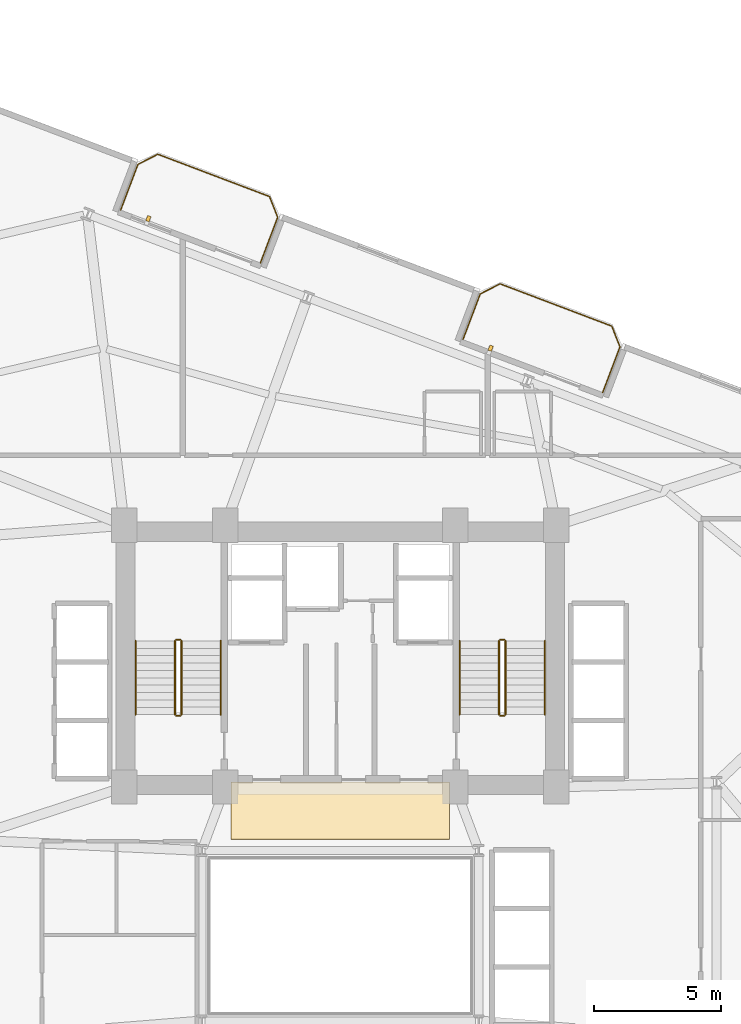
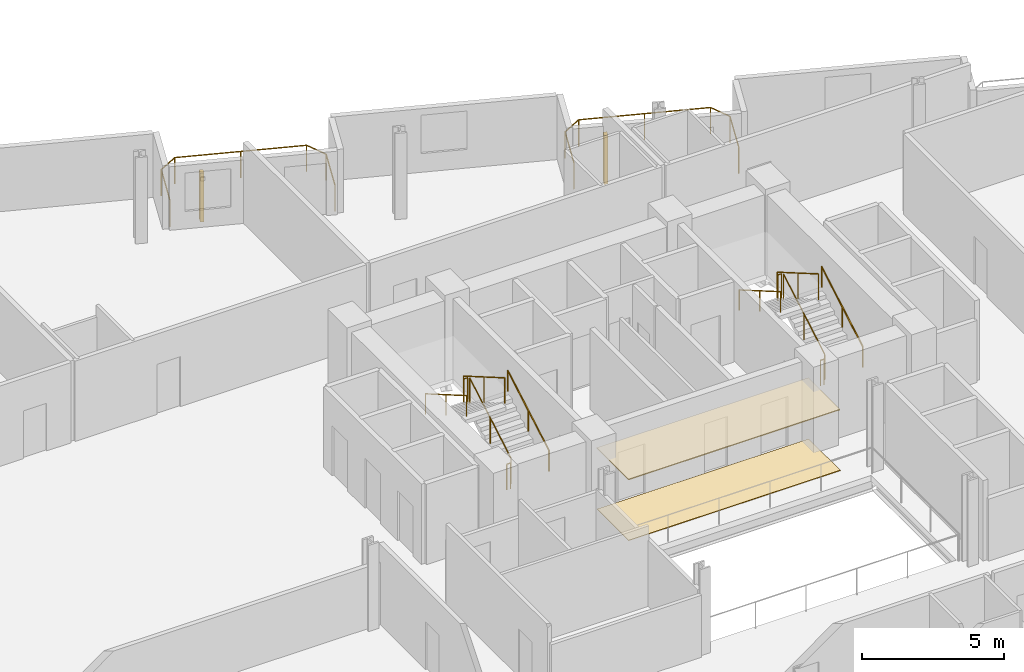
# One storey, part 25 of 26: 14 railings, 2 coverings, 2 shading devices.
"""IFC4 building model written with IfcOpenShell, lengths in metres."""

from ifc_helpers import new_model, si_unit, direction, frame, origin, origin_2d, place, context, subcontext, project, spatial, rectangle, circle, extrude, source, transform, mapped, material, layer, layer_set, type_object, element, save


model = new_model("IFC4")

# Units and contexts
model_context = context("Model", 3, precision=1e-05, world=origin(), true_north=direction((0.0, 1.0)))
body_context = subcontext(model_context, "Body", "Model", "MODEL_VIEW")
ifc_project = project(units=[si_unit("LENGTHUNIT", "METRE"), si_unit("AREAUNIT", "SQUARE_METRE"), si_unit("VOLUMEUNIT", "CUBIC_METRE"), si_unit("PLANEANGLEUNIT", "RADIAN"), si_unit("MASSUNIT", "GRAM", prefix="KILO")], contexts=[model_context])

# Site, building, storey
site_placement = place(None, origin())
site = spatial("IfcSite", under=ifc_project, at=site_placement, CompositionType="ELEMENT")
building_placement = place(site_placement, origin())
building = spatial("IfcBuilding", under=site, at=building_placement, Name="Varnelok Gate Tower", CompositionType="ELEMENT")
storey_placement = place(building_placement, frame((0.0, 0.0, 109.5)))
storey = spatial("IfcBuildingStorey", under=building, at=storey_placement, Name="L27", CompositionType="ELEMENT", Elevation=109.5)

# Railings
ifc_material_1 = material(Name="Low-E Laminated Double Glazing IGU", Category="glass")
railing_type_1 = type_object("IfcRailingType", Name="RL-BALC-1150", PredefinedType="BALUSTRADE", material=ifc_material_1)
railing_1_placement = place(storey_placement, frame((30.560302734375, 51.453125, 0.0)))
element("IfcRailing", 1, at=railing_1_placement, inside=storey, type_object=railing_type_1, Name="L27 North Terrace Balustrade 4", PredefinedType="BALUSTRADE", context=body_context, shape_type="SweptSolid", body=[
    extrude(circle(Radius=0.02392578125, at=origin_2d()), frame((0.0, 0.0, 1.1259765625), z_axis=(0.354006333352, 0.935243025073, 0.0), x_axis=(-0.935243025073, 0.354006333352, 0.0)), (0.0, 0.0, 1.0), 1.919921875),
    extrude(circle(Radius=0.02392578125, at=origin_2d()), frame((0.6796875, 1.795654296875, 1.1259765625), z_axis=(0.89078254773, 0.454429810487, 0.0), x_axis=(-0.454429810487, 0.89078254773, 0.0)), (0.0, 0.0, 1.0), 0.8779296875),
    extrude(circle(Radius=0.02392578125, at=origin_2d()), frame((1.461669921875, 2.194580078125, 1.1259765625), z_axis=(0.935223045203, -0.354059113314, 0.0), x_axis=(0.354059113314, 0.935223045203, 0.0)), (0.0, 0.0, 1.0), 4.699951171875),
    extrude(circle(Radius=0.02392578125, at=origin_2d()), frame((5.857177734375, 0.530517578125, 1.1259765625), z_axis=(0.366349384437, -0.930477365938, 0.0), x_axis=(0.930477365938, 0.366349384437, 0.0)), (0.0, 0.0, 1.0), 0.877685546875),
    extrude(circle(Radius=0.02392578125, at=origin_2d()), frame((6.1787109375, -0.2861328125, 1.1259765625), z_axis=(-0.354006333352, -0.935243025073, 0.0), x_axis=(0.935243025073, -0.354006333352, 0.0)), (0.0, 0.0, 1.0), 1.919921875),
    extrude(circle(Radius=0.02099609375, at=origin_2d()), origin(), (0.0, 0.0, 1.0), 1.101806640625),
    extrude(circle(Radius=0.02099609375, at=origin_2d()), frame((0.6796875, 1.795654296875, 0.0)), (0.0, 0.0, 1.0), 1.101806640625),
    extrude(circle(Radius=0.02099609375, at=origin_2d()), frame((1.461669921875, 2.194580078125, 0.0)), (0.0, 0.0, 1.0), 1.101806640625),
    extrude(circle(Radius=0.02099609375, at=origin_2d()), frame((3.659423828125, 1.362548828125, 0.0)), (0.0, 0.0, 1.0), 1.101806640625),
    extrude(circle(Radius=0.02099609375, at=origin_2d()), frame((5.857177734375, 0.530517578125, 0.0)), (0.0, 0.0, 1.0), 1.101806640625),
    extrude(circle(Radius=0.02099609375, at=origin_2d()), frame((6.1787109375, -0.2861328125, 0.0)), (0.0, 0.0, 1.0), 1.101806640625),
    extrude(circle(Radius=0.02099609375, at=origin_2d()), frame((5.4990234375, -2.081787109375, 0.0)), (0.0, 0.0, 1.0), 1.101806640625),
])
railing_2_placement = place(storey_placement, frame((44.02734375, 46.354736328125, 0.0)))
element("IfcRailing", 2, at=railing_2_placement, inside=storey, type_object=railing_type_1, Name="L27 North Terrace Balustrade 5", PredefinedType="BALUSTRADE", context=body_context, shape_type="SweptSolid", body=[
    extrude(circle(Radius=0.02392578125, at=origin_2d()), frame((0.0, 0.0, 1.1259765625), z_axis=(0.354117547856, 0.935200920819, 0.0), x_axis=(-0.935200920819, 0.354117547856, 0.0)), (0.0, 0.0, 1.0), 1.920166015625),
    extrude(circle(Radius=0.02392578125, at=origin_2d()), frame((0.679931640625, 1.795654296875, 1.1259765625), z_axis=(0.890725095116, 0.454542412686, 0.0), x_axis=(-0.454542412686, 0.890725095116, 0.0)), (0.0, 0.0, 1.0), 0.877685546875),
    extrude(circle(Radius=0.02392578125, at=origin_2d()), frame((1.461669921875, 2.194580078125, 1.1259765625), z_axis=(0.935223045203, -0.354059113314, 0.0), x_axis=(0.354059113314, 0.935223045203, 0.0)), (0.0, 0.0, 1.0), 4.699951171875),
    extrude(circle(Radius=0.02392578125, at=origin_2d()), frame((5.857177734375, 0.530517578125, 1.1259765625), z_axis=(0.366495340819, -0.93041988648, 0.0), x_axis=(0.93041988648, 0.366495340819, 0.0)), (0.0, 0.0, 1.0), 0.8779296875),
    extrude(circle(Radius=0.02392578125, at=origin_2d()), frame((6.178955078125, -0.286376953125, 1.1259765625), z_axis=(-0.354006333352, -0.935243025073, 0.0), x_axis=(0.935243025073, -0.354006333352, 0.0)), (0.0, 0.0, 1.0), 1.919921875),
    extrude(circle(Radius=0.02099609375, at=origin_2d()), origin(), (0.0, 0.0, 1.0), 1.101806640625),
    extrude(circle(Radius=0.02099609375, at=origin_2d()), frame((0.679931640625, 1.795654296875, 0.0)), (0.0, 0.0, 1.0), 1.101806640625),
    extrude(circle(Radius=0.02099609375, at=origin_2d()), frame((1.461669921875, 2.194580078125, 0.0)), (0.0, 0.0, 1.0), 1.101806640625),
    extrude(circle(Radius=0.02099609375, at=origin_2d()), frame((3.659423828125, 1.362548828125, 0.0)), (0.0, 0.0, 1.0), 1.101806640625),
    extrude(circle(Radius=0.02099609375, at=origin_2d()), frame((5.857177734375, 0.530517578125, 0.0)), (0.0, 0.0, 1.0), 1.101806640625),
    extrude(circle(Radius=0.02099609375, at=origin_2d()), frame((6.178955078125, -0.286376953125, 0.0)), (0.0, 0.0, 1.0), 1.101806640625),
    extrude(circle(Radius=0.02099609375, at=origin_2d()), frame((5.499267578125, -2.08203125, 0.0)), (0.0, 0.0, 1.0), 1.101806640625),
])
ifc_material_2 = material(Name="Brushed Stainless Steel AISI 316", Category="steel")
railing_type_2 = type_object("IfcRailingType", Name="RL-HANDRAIL-900", PredefinedType="HANDRAIL", material=ifc_material_2)
railing_3_placement = place(storey_placement, frame((34.5, 31.60009765625, 0.168212890625)))
element("IfcRailing", 3, at=railing_3_placement, inside=storey, type_object=railing_type_2, Name="L27 ST-1 stair handrail 1", PredefinedType="HANDRAIL", context=body_context, shape_type="SweptSolid", body=[
    extrude(circle(Radius=0.02392578125, at=origin_2d()), frame((0.0, 0.0, 0.8759765625), z_axis=(0.0, 0.865038774852, 0.501705010941), x_axis=(-1.0, 0.0, 0.0)), (0.0, 0.0, 1.0), 3.352294921875),
    extrude(circle(Radius=0.02099609375, at=origin_2d()), origin(), (0.0, 0.0, 1.0), 0.851806640625),
    extrude(circle(Radius=0.02099609375, at=origin_2d()), frame((0.0, 1.449951171875, 0.8408203125)), (0.0, 0.0, 1.0), 0.851806640625),
    extrude(circle(Radius=0.02099609375, at=origin_2d()), frame((0.0, 2.89990234375, 1.681884765625)), (0.0, 0.0, 1.0), 0.851806640625),
])
railing_4_placement = place(storey_placement, frame((31.14990234375, 34.5, 2.01806640625)))
element("IfcRailing", 4, at=railing_4_placement, inside=storey, type_object=railing_type_2, Name="L27 ST-1 stair handrail 2", PredefinedType="HANDRAIL", context=body_context, shape_type="SweptSolid", body=[
    extrude(circle(Radius=0.02392578125, at=origin_2d()), frame((0.0, 0.0, 0.8759765625), z_axis=(0.0, -0.865038774852, 0.501705010941), x_axis=(1.0, 0.0, 0.0)), (0.0, 0.0, 1.0), 3.352294921875),
    extrude(circle(Radius=0.02099609375, at=origin_2d()), origin(), (0.0, 0.0, 1.0), 0.851806640625),
    extrude(circle(Radius=0.02099609375, at=origin_2d()), frame((0.0, -1.449951171875, 0.8408203125)), (0.0, 0.0, 1.0), 0.851806640625),
    extrude(circle(Radius=0.02099609375, at=origin_2d()), frame((0.0, -2.89990234375, 1.681884765625)), (0.0, 0.0, 1.0), 0.851806640625),
])
railing_5_placement = place(storey_placement, frame((47.25, 31.60009765625, 0.168212890625)))
element("IfcRailing", 5, at=railing_5_placement, inside=storey, type_object=railing_type_2, Name="L27 ST-2 stair handrail 1", PredefinedType="HANDRAIL", context=body_context, shape_type="SweptSolid", body=[
    extrude(circle(Radius=0.02392578125, at=origin_2d()), frame((0.0, 0.0, 0.8759765625), z_axis=(0.0, 0.865038774852, 0.501705010941), x_axis=(-1.0, 0.0, 0.0)), (0.0, 0.0, 1.0), 3.352294921875),
    extrude(circle(Radius=0.02099609375, at=origin_2d()), origin(), (0.0, 0.0, 1.0), 0.851806640625),
    extrude(circle(Radius=0.02099609375, at=origin_2d()), frame((0.0, 1.449951171875, 0.8408203125)), (0.0, 0.0, 1.0), 0.851806640625),
    extrude(circle(Radius=0.02099609375, at=origin_2d()), frame((0.0, 2.89990234375, 1.681884765625)), (0.0, 0.0, 1.0), 0.851806640625),
])
railing_6_placement = place(storey_placement, frame((43.89990234375, 34.5, 2.01806640625)))
element("IfcRailing", 6, at=railing_6_placement, inside=storey, type_object=railing_type_2, Name="L27 ST-2 stair handrail 2", PredefinedType="HANDRAIL", context=body_context, shape_type="SweptSolid", body=[
    extrude(circle(Radius=0.02392578125, at=origin_2d()), frame((0.0, 0.0, 0.8759765625), z_axis=(0.0, -0.865038774852, 0.501705010941), x_axis=(1.0, 0.0, 0.0)), (0.0, 0.0, 1.0), 3.352294921875),
    extrude(circle(Radius=0.02099609375, at=origin_2d()), origin(), (0.0, 0.0, 1.0), 0.851806640625),
    extrude(circle(Radius=0.02099609375, at=origin_2d()), frame((0.0, -1.449951171875, 0.8408203125)), (0.0, 0.0, 1.0), 0.851806640625),
    extrude(circle(Radius=0.02099609375, at=origin_2d()), frame((0.0, -2.89990234375, 1.681884765625)), (0.0, 0.0, 1.0), 0.851806640625),
])
ifc_material_3 = material(Name="Galvanized Steel Grade S350GD", Category="steel")
railing_type_3 = type_object("IfcRailingType", Name="RL-STAIR-GUARD1120", PredefinedType="GUARDRAIL", material=ifc_material_3)
railing_7_placement = place(storey_placement, frame((32.949951171875, 31.60009765625, 0.168212890625)))
element("IfcRailing", 7, at=railing_7_placement, inside=storey, type_object=railing_type_3, Name="L27 ST-1 stair guard 1", PredefinedType="GUARDRAIL", context=body_context, shape_type="SweptSolid", body=[
    extrude(circle(Radius=0.02392578125, at=origin_2d()), frame((0.0, 0.0, 1.09619140625), z_axis=(0.0, 0.865038774852, 0.501705010941), x_axis=(-1.0, 0.0, 0.0)), (0.0, 0.0, 1.0), 3.352294921875),
    extrude(circle(Radius=0.02099609375, at=origin_2d()), origin(), (0.0, 0.0, 1.0), 1.072021484375),
    extrude(circle(Radius=0.02099609375, at=origin_2d()), frame((0.0, 1.449951171875, 0.8408203125)), (0.0, 0.0, 1.0), 1.072021484375),
    extrude(circle(Radius=0.02099609375, at=origin_2d()), frame((0.0, 2.89990234375, 1.681884765625)), (0.0, 0.0, 1.0), 1.072021484375),
])
railing_8_placement = place(storey_placement, frame((32.89990234375, 34.550048828125, 1.85009765625)))
element("IfcRailing", 8, at=railing_8_placement, inside=storey, type_object=railing_type_3, Name="L27 ST-1 stair guard 2", PredefinedType="GUARDRAIL", context=body_context, shape_type="SweptSolid", body=[
    extrude(circle(Radius=0.02392578125, at=origin_2d()), frame((0.0, 0.0, 1.09619140625), z_axis=(-1.0, 0.0, 0.0), x_axis=(0.0, -1.0, 0.0)), (0.0, 0.0, 1.0), 0.14990234375),
    extrude(circle(Radius=0.02099609375, at=origin_2d()), origin(), (0.0, 0.0, 1.0), 1.072021484375),
    extrude(circle(Radius=0.02099609375, at=origin_2d()), frame((-0.14990234375, 0.0, 0.0)), (0.0, 0.0, 1.0), 1.072021484375),
])
railing_9_placement = place(storey_placement, frame((32.699951171875, 34.5, 2.01806640625)))
element("IfcRailing", 9, at=railing_9_placement, inside=storey, type_object=railing_type_3, Name="L27 ST-1 stair guard 3", PredefinedType="GUARDRAIL", context=body_context, shape_type="SweptSolid", body=[
    extrude(circle(Radius=0.02392578125, at=origin_2d()), frame((0.0, 0.0, 1.09619140625), z_axis=(0.0, -0.865038774852, 0.501705010941), x_axis=(1.0, 0.0, 0.0)), (0.0, 0.0, 1.0), 3.352294921875),
    extrude(circle(Radius=0.02099609375, at=origin_2d()), origin(), (0.0, 0.0, 1.0), 1.072021484375),
    extrude(circle(Radius=0.02099609375, at=origin_2d()), frame((0.0, -1.449951171875, 0.8408203125)), (0.0, 0.0, 1.0), 1.072021484375),
    extrude(circle(Radius=0.02099609375, at=origin_2d()), frame((0.0, -2.89990234375, 1.681884765625)), (0.0, 0.0, 1.0), 1.072021484375),
])
railing_10_placement = place(storey_placement, frame((32.89990234375, 31.550048828125, 0.0)))
element("IfcRailing", 10, at=railing_10_placement, inside=storey, type_object=railing_type_3, Name="L27 ST-1 stair guard 4", PredefinedType="GUARDRAIL", context=body_context, shape_type="SweptSolid", body=[
    extrude(circle(Radius=0.02392578125, at=origin_2d()), frame((0.0, 0.0, 1.09619140625), z_axis=(-1.0, 0.0, 0.0), x_axis=(0.0, -1.0, 0.0)), (0.0, 0.0, 1.0), 0.14990234375),
    extrude(circle(Radius=0.02099609375, at=origin_2d()), origin(), (0.0, 0.0, 1.0), 1.072021484375),
    extrude(circle(Radius=0.02099609375, at=origin_2d()), frame((-0.14990234375, 0.0, 0.0)), (0.0, 0.0, 1.0), 1.072021484375),
])
railing_11_placement = place(storey_placement, frame((45.699951171875, 31.60009765625, 0.168212890625)))
element("IfcRailing", 11, at=railing_11_placement, inside=storey, type_object=railing_type_3, Name="L27 ST-2 stair guard 1", PredefinedType="GUARDRAIL", context=body_context, shape_type="SweptSolid", body=[
    extrude(circle(Radius=0.02392578125, at=origin_2d()), frame((0.0, 0.0, 1.09619140625), z_axis=(0.0, 0.865038774852, 0.501705010941), x_axis=(-1.0, 0.0, 0.0)), (0.0, 0.0, 1.0), 3.352294921875),
    extrude(circle(Radius=0.02099609375, at=origin_2d()), origin(), (0.0, 0.0, 1.0), 1.072021484375),
    extrude(circle(Radius=0.02099609375, at=origin_2d()), frame((0.0, 1.449951171875, 0.8408203125)), (0.0, 0.0, 1.0), 1.072021484375),
    extrude(circle(Radius=0.02099609375, at=origin_2d()), frame((0.0, 2.89990234375, 1.681884765625)), (0.0, 0.0, 1.0), 1.072021484375),
])
railing_12_placement = place(storey_placement, frame((45.64990234375, 34.550048828125, 1.85009765625)))
element("IfcRailing", 12, at=railing_12_placement, inside=storey, type_object=railing_type_3, Name="L27 ST-2 stair guard 2", PredefinedType="GUARDRAIL", context=body_context, shape_type="SweptSolid", body=[
    extrude(circle(Radius=0.02392578125, at=origin_2d()), frame((0.0, 0.0, 1.09619140625), z_axis=(-1.0, 0.0, 0.0), x_axis=(0.0, -1.0, 0.0)), (0.0, 0.0, 1.0), 0.14990234375),
    extrude(circle(Radius=0.02099609375, at=origin_2d()), origin(), (0.0, 0.0, 1.0), 1.072021484375),
    extrude(circle(Radius=0.02099609375, at=origin_2d()), frame((-0.14990234375, 0.0, 0.0)), (0.0, 0.0, 1.0), 1.072021484375),
])
railing_13_placement = place(storey_placement, frame((45.449951171875, 34.5, 2.01806640625)))
element("IfcRailing", 13, at=railing_13_placement, inside=storey, type_object=railing_type_3, Name="L27 ST-2 stair guard 3", PredefinedType="GUARDRAIL", context=body_context, shape_type="SweptSolid", body=[
    extrude(circle(Radius=0.02392578125, at=origin_2d()), frame((0.0, 0.0, 1.09619140625), z_axis=(0.0, -0.865038774852, 0.501705010941), x_axis=(1.0, 0.0, 0.0)), (0.0, 0.0, 1.0), 3.352294921875),
    extrude(circle(Radius=0.02099609375, at=origin_2d()), origin(), (0.0, 0.0, 1.0), 1.072021484375),
    extrude(circle(Radius=0.02099609375, at=origin_2d()), frame((0.0, -1.449951171875, 0.8408203125)), (0.0, 0.0, 1.0), 1.072021484375),
    extrude(circle(Radius=0.02099609375, at=origin_2d()), frame((0.0, -2.89990234375, 1.681884765625)), (0.0, 0.0, 1.0), 1.072021484375),
])
railing_14_placement = place(storey_placement, frame((45.64990234375, 31.550048828125, 0.0)))
element("IfcRailing", 14, at=railing_14_placement, inside=storey, type_object=railing_type_3, Name="L27 ST-2 stair guard 4", PredefinedType="GUARDRAIL", context=body_context, shape_type="SweptSolid", body=[
    extrude(circle(Radius=0.02392578125, at=origin_2d()), frame((0.0, 0.0, 1.09619140625), z_axis=(-1.0, 0.0, 0.0), x_axis=(0.0, -1.0, 0.0)), (0.0, 0.0, 1.0), 0.14990234375),
    extrude(circle(Radius=0.02099609375, at=origin_2d()), origin(), (0.0, 0.0, 1.0), 1.072021484375),
    extrude(circle(Radius=0.02099609375, at=origin_2d()), frame((-0.14990234375, 0.0, 0.0)), (0.0, 0.0, 1.0), 1.072021484375),
])

# Shading devices
ifc_material_4 = material(Name="Glazed Architectural Terracotta Ceramic", Category="masonry")
shading_device_type = type_object("IfcShadingDeviceType", Name="SHD-TERRA-FIN", PredefinedType="USERDEFINED", material=ifc_material_4)
shared_shape_1 = source(origin(), body_context, "Body", "SweptSolid", [
    extrude(rectangle(XDim=0.139892578125, YDim=0.219970703125, at=origin_2d()), origin(), (0.0, 0.0, 1.0), 2.10009765625),
])
for number, where, z_axis, x_axis, name in (
    (15, (31.651123046875, 51.114990234375, 0.099853515625), (0.0, 0.0, 1.0), (0.935221751401, -0.354062530786, 0.0), "L27 Terracotta Ceramic Baguette Sunscreen 4.1"),
    (16, (45.118408203125, 46.0166015625, 0.099853515625), (0.0, 0.0, 1.0), (0.935221751401, -0.354062530786, 0.0), "L27 Terracotta Ceramic Baguette Sunscreen 5.1"),
):
    element("IfcShadingDevice", number, at=place(storey_placement, frame(where, z_axis=z_axis, x_axis=x_axis)), inside=storey, type_object=shading_device_type, Name=name, ObjectType="BAGUETTE", PredefinedType="USERDEFINED", context=body_context, shape_type="MappedRepresentation", body=[
        mapped(shared_shape_1, transform((0.0, 0.0, 0.0), scale=1.0)),
    ])

# Coverings
ifc_material_5 = material(Name="Honed Travertine Stone Flooring", Category="masonry")
ifc_layer_1 = layer(ifc_material_5, 0.02490234375)
ifc_layer_set_1 = layer_set([ifc_layer_1], Name="Honed Travertine Stone Flooring")
covering_type_1 = type_object("IfcCoveringType", Name="COV-FLOR-STONE", PredefinedType="FLOORING", material=ifc_layer_set_1)
shared_shape_2 = source(origin(), body_context, "Body", "SweptSolid", [
    extrude(rectangle(XDim=8.60009765625, YDim=2.219970703125, at=origin_2d()), origin(), (0.0, 0.0, 1.0), 0.02490234375),
])
covering_1_placement = place(storey_placement, frame((39.199951171875, 27.800048828125, 0.0), z_axis=(0.0, 0.0, 1.0), x_axis=(1.0, 0.0, 0.0)))
element("IfcCovering", 17, at=covering_1_placement, inside=storey, type_object=covering_type_1, Name="L27 Core Gallery Stone Flooring", PredefinedType="FLOORING", context=body_context, shape_type="MappedRepresentation", body=[
    mapped(shared_shape_2, transform((0.0, 0.0, 0.0), scale=1.0)),
])
ifc_material_6 = material(Name="Mineral Fiber Acoustic Ceiling Tile")
ifc_layer_2 = layer(ifc_material_6, 0.0400390625)
ifc_layer_set_2 = layer_set([ifc_layer_2], Name="Mineral Fiber Acoustic Ceiling Tile")
covering_type_2 = type_object("IfcCoveringType", Name="COV-CEIL-ACOUST", PredefinedType="CEILING", material=ifc_layer_set_2)
shared_shape_3 = source(origin(), body_context, "Body", "SweptSolid", [
    extrude(rectangle(XDim=8.60009765625, YDim=2.239990234375, at=origin_2d()), origin(), (0.0, 0.0, 1.0), 0.0400390625),
])
covering_2_placement = place(storey_placement, frame((39.199951171875, 27.820068359375, 2.60009765625), z_axis=(0.0, 0.0, 1.0), x_axis=(1.0, 0.0, 0.0)))
element("IfcCovering", 18, at=covering_2_placement, inside=storey, type_object=covering_type_2, Name="L27 Core Gallery Acoustic Ceiling", PredefinedType="CEILING", context=body_context, shape_type="MappedRepresentation", body=[
    mapped(shared_shape_3, transform((0.0, 0.0, 0.0), scale=1.0)),
])

save(model, "model.ifc")
